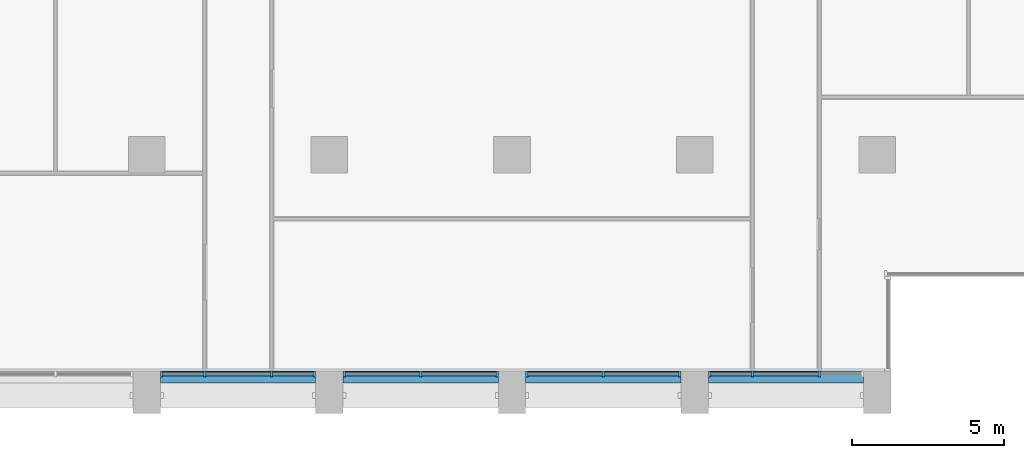
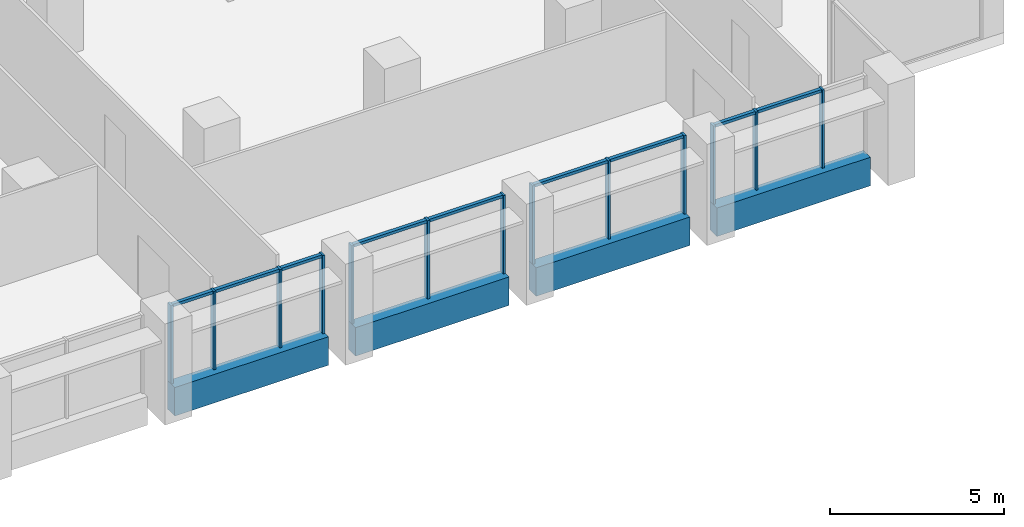
# One storey, part 3 of 15: 22 members, 4 beams, 4 elements without a shape of their own.
"""IFC4 building model written with IfcOpenShell, lengths in metres."""

from ifc_helpers import new_model, si_unit, direction, frame, origin, origin_2d, place, context, subcontext, project, spatial, rectangle, extrude, material, material_profile, profile_set, type_object, element, aggregate, save


model = new_model("IFC4")

# Units and contexts
model_context = context("Model", 3, precision=1e-05, world=origin(), true_north=direction((0.0, 1.0)))
body_context = subcontext(model_context, "Body", "Model", "MODEL_VIEW")
ifc_project = project(units=[si_unit("LENGTHUNIT", "METRE"), si_unit("AREAUNIT", "SQUARE_METRE"), si_unit("VOLUMEUNIT", "CUBIC_METRE"), si_unit("PLANEANGLEUNIT", "RADIAN"), si_unit("MASSUNIT", "GRAM", prefix="KILO")], contexts=[model_context])

# Site, building, storey
site_placement = place(None, origin())
site = spatial("IfcSite", under=ifc_project, at=site_placement, CompositionType="ELEMENT")
building_placement = place(site_placement, origin())
building = spatial("IfcBuilding", under=site, at=building_placement, Name="Calvaro Tower", CompositionType="ELEMENT")
storey_placement = place(building_placement, frame((0.0, 0.0, 155.0)))
storey = spatial("IfcBuildingStorey", under=building, at=storey_placement, Name="L39", CompositionType="ELEMENT", Elevation=155.0)

# Curtain wall, members
ifc_material_1 = material(Name="Anodised aluminium", Category="aluminium")
curtain_wall_type = type_object("IfcCurtainWallType", Name="Office curtain wall, middle zone", PredefinedType="NOTDEFINED", material=ifc_material_1)
curtain_wall_1_placement = place(storey_placement, origin())
curtain_wall_1 = element("IfcCurtainWall", 1, at=curtain_wall_1_placement, inside=storey, type_object=curtain_wall_type, Name="CW2 south curtain wall", PredefinedType="NOTDEFINED")
ifc_material_2 = material(Name="Anodised aluminium", Category="aluminium")
ifc_material_profile_1 = material_profile(ifc_material_2, rectangle(XDim=0.199951171875, YDim=0.070068359375, at=origin_2d()), Name="Mullion S2 70 x 200")
ifc_profile_set_1 = profile_set([ifc_material_profile_1], Name="Anodised aluminium")
member_type_1 = type_object("IfcMemberType", Name="Mullion S2 70 x 200", PredefinedType="MULLION", material=ifc_profile_set_1)
member_1_placement = place(storey_placement, frame((42.485107421875, 2.800048828125, 0.0), z_axis=(0.0, 0.0, 1.0), x_axis=(0.0, 1.0, 0.0)))
member_1 = element("IfcMember", 2, at=member_1_placement, type_object=member_type_1, Name="CW2 mullion 1", PredefinedType="MULLION", context=body_context, shape_type="SweptSolid", body=[
    extrude(rectangle(XDim=0.199951171875, YDim=0.070068359375, at=origin_2d()), origin(), (0.0, 0.0, 1.0), 2.75),
])
member_2_placement = place(storey_placement, frame((43.89990234375, 2.800048828125, 0.0), z_axis=(0.0, 0.0, 1.0), x_axis=(0.0, 1.0, 0.0)))
member_2 = element("IfcMember", 3, at=member_2_placement, type_object=member_type_1, Name="CW2 mullion 2", PredefinedType="MULLION", context=body_context, shape_type="SweptSolid", body=[
    extrude(rectangle(XDim=0.199951171875, YDim=0.070068359375, at=origin_2d()), origin(), (0.0, 0.0, 1.0), 2.75),
])
member_3_placement = place(storey_placement, frame((46.10009765625, 2.800048828125, 0.0), z_axis=(0.0, 0.0, 1.0), x_axis=(0.0, 1.0, 0.0)))
member_3 = element("IfcMember", 4, at=member_3_placement, type_object=member_type_1, Name="CW2 mullion 3", PredefinedType="MULLION", context=body_context, shape_type="SweptSolid", body=[
    extrude(rectangle(XDim=0.199951171875, YDim=0.070068359375, at=origin_2d()), origin(), (0.0, 0.0, 1.0), 2.75),
])
member_4_placement = place(storey_placement, frame((47.514892578125, 2.800048828125, 0.0), z_axis=(0.0, 0.0, 1.0), x_axis=(0.0, 1.0, 0.0)))
member_4 = element("IfcMember", 5, at=member_4_placement, type_object=member_type_1, Name="CW2 mullion 4", PredefinedType="MULLION", context=body_context, shape_type="SweptSolid", body=[
    extrude(rectangle(XDim=0.199951171875, YDim=0.070068359375, at=origin_2d()), origin(), (0.0, 0.0, 1.0), 2.75),
])

curtain_wall_2_placement = place(storey_placement, origin())
curtain_wall_2 = element("IfcCurtainWall", 6, at=curtain_wall_2_placement, inside=storey, type_object=curtain_wall_type, Name="CW2 south curtain wall", PredefinedType="NOTDEFINED")
member_5_placement = place(storey_placement, frame((48.485107421875, 2.800048828125, 0.0), z_axis=(0.0, 0.0, 1.0), x_axis=(0.0, 1.0, 0.0)))
member_5 = element("IfcMember", 7, at=member_5_placement, type_object=member_type_1, Name="CW2 mullion 1", PredefinedType="MULLION", context=body_context, shape_type="SweptSolid", body=[
    extrude(rectangle(XDim=0.199951171875, YDim=0.070068359375, at=origin_2d()), origin(), (0.0, 0.0, 1.0), 2.75),
])
member_6_placement = place(storey_placement, frame((51.0, 2.800048828125, 0.0), z_axis=(0.0, 0.0, 1.0), x_axis=(0.0, 1.0, 0.0)))
member_6 = element("IfcMember", 8, at=member_6_placement, type_object=member_type_1, Name="CW2 mullion 2", PredefinedType="MULLION", context=body_context, shape_type="SweptSolid", body=[
    extrude(rectangle(XDim=0.199951171875, YDim=0.070068359375, at=origin_2d()), origin(), (0.0, 0.0, 1.0), 2.75),
])
member_7_placement = place(storey_placement, frame((53.514892578125, 2.800048828125, 0.0), z_axis=(0.0, 0.0, 1.0), x_axis=(0.0, 1.0, 0.0)))
member_7 = element("IfcMember", 9, at=member_7_placement, type_object=member_type_1, Name="CW2 mullion 3", PredefinedType="MULLION", context=body_context, shape_type="SweptSolid", body=[
    extrude(rectangle(XDim=0.199951171875, YDim=0.070068359375, at=origin_2d()), origin(), (0.0, 0.0, 1.0), 2.75),
])

curtain_wall_3_placement = place(storey_placement, origin())
curtain_wall_3 = element("IfcCurtainWall", 10, at=curtain_wall_3_placement, inside=storey, type_object=curtain_wall_type, Name="CW2 south curtain wall", PredefinedType="NOTDEFINED")
member_8_placement = place(storey_placement, frame((54.485107421875, 2.800048828125, 0.0), z_axis=(0.0, 0.0, 1.0), x_axis=(0.0, 1.0, 0.0)))
member_8 = element("IfcMember", 11, at=member_8_placement, type_object=member_type_1, Name="CW2 mullion 1", PredefinedType="MULLION", context=body_context, shape_type="SweptSolid", body=[
    extrude(rectangle(XDim=0.199951171875, YDim=0.070068359375, at=origin_2d()), origin(), (0.0, 0.0, 1.0), 2.75),
])
member_9_placement = place(storey_placement, frame((57.0, 2.800048828125, 0.0), z_axis=(0.0, 0.0, 1.0), x_axis=(0.0, 1.0, 0.0)))
member_9 = element("IfcMember", 12, at=member_9_placement, type_object=member_type_1, Name="CW2 mullion 2", PredefinedType="MULLION", context=body_context, shape_type="SweptSolid", body=[
    extrude(rectangle(XDim=0.199951171875, YDim=0.070068359375, at=origin_2d()), origin(), (0.0, 0.0, 1.0), 2.75),
])
member_10_placement = place(storey_placement, frame((59.514892578125, 2.800048828125, 0.0), z_axis=(0.0, 0.0, 1.0), x_axis=(0.0, 1.0, 0.0)))
member_10 = element("IfcMember", 13, at=member_10_placement, type_object=member_type_1, Name="CW2 mullion 3", PredefinedType="MULLION", context=body_context, shape_type="SweptSolid", body=[
    extrude(rectangle(XDim=0.199951171875, YDim=0.070068359375, at=origin_2d()), origin(), (0.0, 0.0, 1.0), 2.75),
])

curtain_wall_4_placement = place(storey_placement, origin())
curtain_wall_4 = element("IfcCurtainWall", 14, at=curtain_wall_4_placement, inside=storey, type_object=curtain_wall_type, Name="CW2 south curtain wall", PredefinedType="NOTDEFINED")
member_11_placement = place(storey_placement, frame((60.485107421875, 2.800048828125, 0.0), z_axis=(0.0, 0.0, 1.0), x_axis=(0.0, 1.0, 0.0)))
member_11 = element("IfcMember", 15, at=member_11_placement, type_object=member_type_1, Name="CW2 mullion 1", PredefinedType="MULLION", context=body_context, shape_type="SweptSolid", body=[
    extrude(rectangle(XDim=0.199951171875, YDim=0.070068359375, at=origin_2d()), origin(), (0.0, 0.0, 1.0), 2.75),
])
member_12_placement = place(storey_placement, frame((61.89990234375, 2.800048828125, 0.0), z_axis=(0.0, 0.0, 1.0), x_axis=(0.0, 1.0, 0.0)))
member_12 = element("IfcMember", 16, at=member_12_placement, type_object=member_type_1, Name="CW2 mullion 2", PredefinedType="MULLION", context=body_context, shape_type="SweptSolid", body=[
    extrude(rectangle(XDim=0.199951171875, YDim=0.070068359375, at=origin_2d()), origin(), (0.0, 0.0, 1.0), 2.75),
])
member_13_placement = place(storey_placement, frame((64.10009765625, 2.800048828125, 0.0), z_axis=(0.0, 0.0, 1.0), x_axis=(0.0, 1.0, 0.0)))
member_13 = element("IfcMember", 17, at=member_13_placement, type_object=member_type_1, Name="CW2 mullion 3", PredefinedType="MULLION", context=body_context, shape_type="SweptSolid", body=[
    extrude(rectangle(XDim=0.199951171875, YDim=0.070068359375, at=origin_2d()), origin(), (0.0, 0.0, 1.0), 2.75),
])

# Beams
ifc_material_3 = material(Name="Concrete C50/60 precast", Category="concrete")
ifc_material_profile_2 = material_profile(ifc_material_3, rectangle(XDim=0.39990234375, YDim=1.0, at=origin_2d()), Name="RC 400x1000")
ifc_profile_set_2 = profile_set([ifc_material_profile_2], Name="Concrete C50/60 precast")
beam_type = type_object("IfcBeamType", Name="Spandrel beam 400x1000 C50/60", PredefinedType="SPANDREL", material=ifc_profile_set_2)
for number, where, z_axis, x_axis, name in (
    (18, (42.449951171875, 2.699951171875, -0.5), (1.0, 0.0, 0.0), (0.0, 1.0, 0.0), "Spandrel beam"),
    (19, (48.449951171875, 2.699951171875, -0.5), (1.0, 0.0, 0.0), (0.0, 1.0, 0.0), "Spandrel beam"),
    (20, (54.449951171875, 2.699951171875, -0.5), (1.0, 0.0, 0.0), (0.0, 1.0, 0.0), "Spandrel beam"),
    (21, (60.449951171875, 2.699951171875, -0.5), (1.0, 0.0, 0.0), (0.0, 1.0, 0.0), "Spandrel beam"),
):
    element("IfcBeam", number, at=place(storey_placement, frame(where, z_axis=z_axis, x_axis=x_axis)), inside=storey, type_object=beam_type, Name=name, PredefinedType="SPANDREL", context=body_context, shape_type="SweptSolid", body=[
        extrude(rectangle(XDim=0.39990234375, YDim=1.0, at=origin_2d()), origin(), (0.0, 0.0, 1.0), 5.10009765625),
    ])

# Member
ifc_material_4 = material(Name="Anodised aluminium", Category="aluminium")
ifc_material_profile_3 = material_profile(ifc_material_4, rectangle(XDim=0.1201171875, YDim=0.10009765625, at=origin_2d()), Name="Transom S2 100 x 120")
ifc_profile_set_3 = profile_set([ifc_material_profile_3], Name="Anodised aluminium")
member_type_2 = type_object("IfcMemberType", Name="Transom S2 100 x 120", PredefinedType="USERDEFINED", material=ifc_profile_set_3)
member_14_placement = place(storey_placement, frame((42.52001953125, 2.800048828125, 2.699951171875), z_axis=(1.0, 0.0, 0.0), x_axis=(0.0, 1.0, 0.0)))
member_14 = element("IfcMember", 22, at=member_14_placement, type_object=member_type_2, Name="CW2 transom 1.1", ObjectType="TRANSOM", PredefinedType="USERDEFINED", context=body_context, shape_type="SweptSolid", body=[
    extrude(rectangle(XDim=0.1201171875, YDim=0.10009765625, at=origin_2d()), origin(), (0.0, 0.0, 1.0), 1.344970703125),
])

member_15_placement = place(storey_placement, frame((43.93505859375, 2.800048828125, 2.699951171875), z_axis=(1.0, 0.0, 0.0), x_axis=(0.0, 1.0, 0.0)))
member_15 = element("IfcMember", 23, at=member_15_placement, type_object=member_type_2, Name="CW2 transom 2.1", ObjectType="TRANSOM", PredefinedType="USERDEFINED", context=body_context, shape_type="SweptSolid", body=[
    extrude(rectangle(XDim=0.1201171875, YDim=0.10009765625, at=origin_2d()), origin(), (0.0, 0.0, 1.0), 2.1298828125),
])

member_16_placement = place(storey_placement, frame((46.135009765625, 2.800048828125, 2.699951171875), z_axis=(1.0, 0.0, 0.0), x_axis=(0.0, 1.0, 0.0)))
member_16 = element("IfcMember", 24, at=member_16_placement, type_object=member_type_2, Name="CW2 transom 3.1", ObjectType="TRANSOM", PredefinedType="USERDEFINED", context=body_context, shape_type="SweptSolid", body=[
    extrude(rectangle(XDim=0.1201171875, YDim=0.10009765625, at=origin_2d()), origin(), (0.0, 0.0, 1.0), 1.344970703125),
])

aggregate(curtain_wall_1, [member_1, member_2, member_3, member_4, member_14, member_15, member_16])

member_17_placement = place(storey_placement, frame((48.52001953125, 2.800048828125, 2.699951171875), z_axis=(1.0, 0.0, 0.0), x_axis=(0.0, 1.0, 0.0)))
member_17 = element("IfcMember", 25, at=member_17_placement, type_object=member_type_2, Name="CW2 transom 1.1", ObjectType="TRANSOM", PredefinedType="USERDEFINED", context=body_context, shape_type="SweptSolid", body=[
    extrude(rectangle(XDim=0.1201171875, YDim=0.10009765625, at=origin_2d()), origin(), (0.0, 0.0, 1.0), 2.445068359375),
])

member_18_placement = place(storey_placement, frame((51.034912109375, 2.800048828125, 2.699951171875), z_axis=(1.0, 0.0, 0.0), x_axis=(0.0, 1.0, 0.0)))
member_18 = element("IfcMember", 26, at=member_18_placement, type_object=member_type_2, Name="CW2 transom 2.1", ObjectType="TRANSOM", PredefinedType="USERDEFINED", context=body_context, shape_type="SweptSolid", body=[
    extrude(rectangle(XDim=0.1201171875, YDim=0.10009765625, at=origin_2d()), origin(), (0.0, 0.0, 1.0), 2.445068359375),
])

aggregate(curtain_wall_2, [member_5, member_6, member_7, member_17, member_18])

member_19_placement = place(storey_placement, frame((54.52001953125, 2.800048828125, 2.699951171875), z_axis=(1.0, 0.0, 0.0), x_axis=(0.0, 1.0, 0.0)))
member_19 = element("IfcMember", 27, at=member_19_placement, type_object=member_type_2, Name="CW2 transom 1.1", ObjectType="TRANSOM", PredefinedType="USERDEFINED", context=body_context, shape_type="SweptSolid", body=[
    extrude(rectangle(XDim=0.1201171875, YDim=0.10009765625, at=origin_2d()), origin(), (0.0, 0.0, 1.0), 2.445068359375),
])

member_20_placement = place(storey_placement, frame((57.034912109375, 2.800048828125, 2.699951171875), z_axis=(1.0, 0.0, 0.0), x_axis=(0.0, 1.0, 0.0)))
member_20 = element("IfcMember", 28, at=member_20_placement, type_object=member_type_2, Name="CW2 transom 2.1", ObjectType="TRANSOM", PredefinedType="USERDEFINED", context=body_context, shape_type="SweptSolid", body=[
    extrude(rectangle(XDim=0.1201171875, YDim=0.10009765625, at=origin_2d()), origin(), (0.0, 0.0, 1.0), 2.445068359375),
])

aggregate(curtain_wall_3, [member_8, member_9, member_10, member_19, member_20])

member_21_placement = place(storey_placement, frame((60.52001953125, 2.800048828125, 2.699951171875), z_axis=(1.0, 0.0, 0.0), x_axis=(0.0, 1.0, 0.0)))
member_21 = element("IfcMember", 29, at=member_21_placement, type_object=member_type_2, Name="CW2 transom 1.1", ObjectType="TRANSOM", PredefinedType="USERDEFINED", context=body_context, shape_type="SweptSolid", body=[
    extrude(rectangle(XDim=0.1201171875, YDim=0.10009765625, at=origin_2d()), origin(), (0.0, 0.0, 1.0), 1.344970703125),
])

member_22_placement = place(storey_placement, frame((61.93505859375, 2.800048828125, 2.699951171875), z_axis=(1.0, 0.0, 0.0), x_axis=(0.0, 1.0, 0.0)))
member_22 = element("IfcMember", 30, at=member_22_placement, type_object=member_type_2, Name="CW2 transom 2.1", ObjectType="TRANSOM", PredefinedType="USERDEFINED", context=body_context, shape_type="SweptSolid", body=[
    extrude(rectangle(XDim=0.1201171875, YDim=0.10009765625, at=origin_2d()), origin(), (0.0, 0.0, 1.0), 2.1298828125),
])

aggregate(curtain_wall_4, [member_11, member_12, member_13, member_21, member_22])

save(model, "model.ifc")
